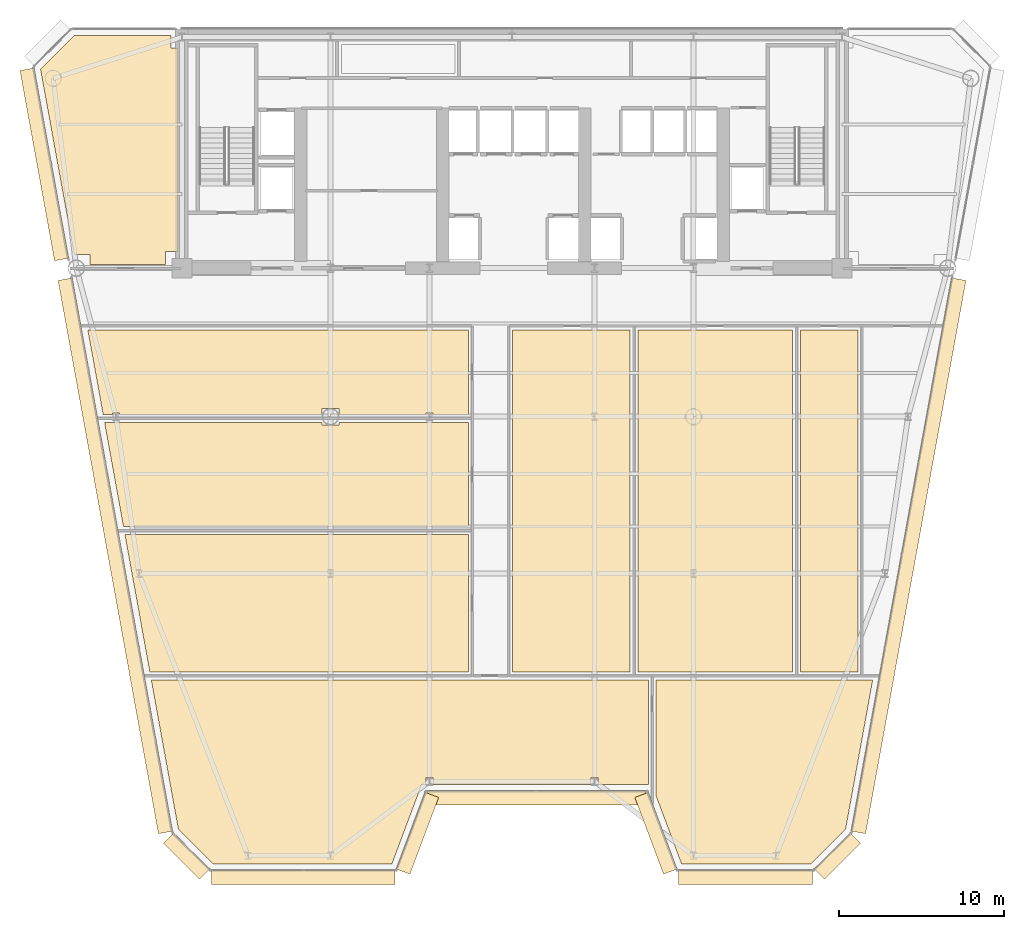
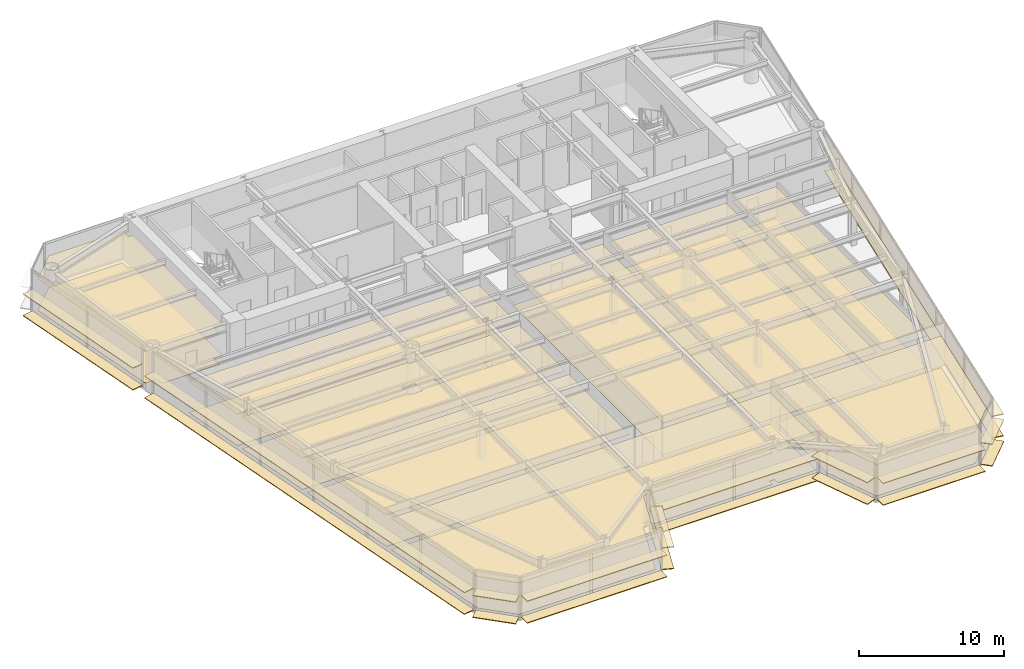
# One storey, part 11 of 14: 38 coverings.
"""IFC4 building model written with IfcOpenShell, lengths in metres."""

from ifc_helpers import new_model, si_unit, direction, frame, origin, origin_2d, place, context, subcontext, project, spatial, polyline, rectangle, outline, extrude, source, transform, mapped, material, layer, layer_set, type_object, element, save


model = new_model("IFC4")

# Units and contexts
model_context = context("Model", 3, precision=1e-05, world=origin(), true_north=direction((0.0, 1.0)))
body_context = subcontext(model_context, "Body", "Model", "MODEL_VIEW")
ifc_project = project(units=[si_unit("LENGTHUNIT", "METRE"), si_unit("AREAUNIT", "SQUARE_METRE"), si_unit("VOLUMEUNIT", "CUBIC_METRE"), si_unit("PLANEANGLEUNIT", "RADIAN"), si_unit("MASSUNIT", "GRAM", prefix="KILO")], contexts=[model_context])

# Site, building, storey
site_placement = place(None, origin())
site = spatial("IfcSite", under=ifc_project, at=site_placement, CompositionType="ELEMENT")
building_placement = place(site_placement, origin())
building = spatial("IfcBuilding", under=site, at=building_placement, Name="Vaeldorn Concourse Tower", CompositionType="ELEMENT")
storey_placement = place(building_placement, frame((0.0, 0.0, 145.199951171875)))
storey = spatial("IfcBuildingStorey", under=building, at=storey_placement, Name="L37", CompositionType="ELEMENT", Elevation=145.199951171875)

# Coverings
ifc_material_1 = material(Name="Acoustic Mineral Fibre Board", Category="gypsum")
ifc_layer_1 = layer(ifc_material_1, 0.0400390625)
ifc_layer_set_1 = layer_set([ifc_layer_1], Name="Acoustic Mineral Fibre Board")
covering_type_1 = type_object("IfcCoveringType", Name="COV-CEIL-ACOUSTIC", PredefinedType="CEILING", material=ifc_layer_set_1)
covering_1_placement = place(storey_placement, frame((0.0, 0.0, 2.650146484375)))
element("IfcCovering", 1, at=covering_1_placement, inside=storey, type_object=covering_type_1, Name="Suspended Acoustic Ceiling L37-3", PredefinedType="CEILING", context=body_context, shape_type="SweptSolid", body=[
    extrude(outline(polyline([(7.4658203125, 50.60009765625), (13.340087890625, 50.60009765625), (13.340087890625, 49.840087890625), (13.760009765625, 49.840087890625), (13.760009765625, 37.5), (13.0, 37.5), (13.0, 36.719970703125), (8.419921875, 36.719970703125), (8.419921875, 37.320068359375), (7.470458984375, 37.320068359375), (5.430908203125, 48.565185546875), (7.4658203125, 50.60009765625)])), origin(), (0.0, 0.0, 1.0), 0.039794921875),
])
covering_2_placement = place(storey_placement, frame((0.0, 0.0, 2.650146484375)))
element("IfcCovering", 2, at=covering_2_placement, inside=storey, type_object=covering_type_1, Name="Suspended Acoustic Ceiling L37-5", PredefinedType="CEILING", context=body_context, shape_type="SweptSolid", body=[
    extrude(outline(polyline([(42.260009765625, 11.56005859375), (42.260009765625, 5.199951171875), (39.2119140625, 5.199951171875), (39.2119140625, 5.636962890625), (38.7880859375, 5.636962890625), (38.7880859375, 5.199951171875), (29.2119140625, 5.199951171875), (29.2119140625, 5.636962890625), (28.7880859375, 5.636962890625), (28.7880859375, 5.199951171875), (28.522705078125, 5.199951171875), (26.722900390625, 0.39990234375), (15.880615234375, 0.39990234375), (13.786376953125, 2.494384765625), (12.14208984375, 11.56005859375), (42.260009765625, 11.56005859375)])), origin(), (0.0, 0.0, 1.0), 0.039794921875),
])
covering_3_placement = place(storey_placement, frame((0.0, 0.0, 2.650146484375)))
element("IfcCovering", 3, at=covering_3_placement, inside=storey, type_object=covering_type_1, Name="Suspended Acoustic Ceiling L37-6", PredefinedType="CEILING", context=body_context, shape_type="SweptSolid", body=[
    extrude(outline(polyline([(52.119384765625, 0.39990234375), (44.277099609375, 0.39990234375), (42.739990234375, 4.499267578125), (42.739990234375, 11.56005859375), (55.85791015625, 11.56005859375), (54.213623046875, 2.494384765625), (52.119384765625, 0.39990234375)])), origin(), (0.0, 0.0, 1.0), 0.039794921875),
])
covering_4_placement = place(storey_placement, frame((0.0, 0.0, 2.650146484375)))
element("IfcCovering", 4, at=covering_4_placement, inside=storey, type_object=covering_type_1, Name="Suspended Acoustic Ceiling L37-7", PredefinedType="CEILING", context=body_context, shape_type="SweptSolid", body=[
    extrude(outline(polyline([(31.360107421875, 20.360107421875), (31.360107421875, 12.0400390625), (12.05517578125, 12.0400390625), (10.546142578125, 20.360107421875), (31.360107421875, 20.360107421875)])), origin(), (0.0, 0.0, 1.0), 0.039794921875),
])
covering_5_placement = place(storey_placement, frame((0.0, 0.0, 2.650146484375)))
element("IfcCovering", 5, at=covering_5_placement, inside=storey, type_object=covering_type_1, Name="Suspended Acoustic Ceiling L37-8", PredefinedType="CEILING", context=body_context, shape_type="SweptSolid", body=[
    extrude(outline(polyline([(22.491943359375, 27.159912109375), (22.491943359375, 26.991943359375), (23.508056640625, 26.991943359375), (23.508056640625, 27.159912109375), (31.360107421875, 27.159912109375), (31.360107421875, 20.840087890625), (10.459228515625, 20.840087890625), (9.31298828125, 27.159912109375), (22.491943359375, 27.159912109375)])), origin(), (0.0, 0.0, 1.0), 0.039794921875),
])
covering_6_placement = place(storey_placement, frame((0.0, 0.0, 2.650146484375)))
element("IfcCovering", 6, at=covering_6_placement, inside=storey, type_object=covering_type_1, Name="Suspended Acoustic Ceiling L37-9", PredefinedType="CEILING", context=body_context, shape_type="SweptSolid", body=[
    extrude(outline(polyline([(31.360107421875, 32.760009765625), (31.360107421875, 27.639892578125), (29.2119140625, 27.639892578125), (29.2119140625, 27.737060546875), (28.7880859375, 27.737060546875), (28.7880859375, 27.639892578125), (23.508056640625, 27.639892578125), (23.508056640625, 28.008056640625), (22.491943359375, 28.008056640625), (22.491943359375, 27.639892578125), (10.2119140625, 27.639892578125), (10.2119140625, 27.737060546875), (9.7880859375, 27.737060546875), (9.7880859375, 27.639892578125), (9.225830078125, 27.639892578125), (8.29736328125, 32.760009765625), (31.360107421875, 32.760009765625)])), origin(), (0.0, 0.0, 1.0), 0.039794921875),
])
covering_7_placement = place(storey_placement, frame((0.0, 0.0, 2.650146484375)))
element("IfcCovering", 7, at=covering_7_placement, inside=storey, type_object=covering_type_1, Name="Suspended Acoustic Ceiling L37-10", PredefinedType="CEILING", context=body_context, shape_type="SweptSolid", body=[
    extrude(outline(polyline([(34.0400390625, 32.760009765625), (41.159912109375, 32.760009765625), (41.159912109375, 12.0400390625), (34.0400390625, 12.0400390625), (34.0400390625, 32.760009765625)])), origin(), (0.0, 0.0, 1.0), 0.039794921875),
])
covering_8_placement = place(storey_placement, frame((0.0, 0.0, 2.650146484375)))
element("IfcCovering", 8, at=covering_8_placement, inside=storey, type_object=covering_type_1, Name="Suspended Acoustic Ceiling L37-11", PredefinedType="CEILING", context=body_context, shape_type="SweptSolid", body=[
    extrude(outline(polyline([(41.639892578125, 32.760009765625), (51.010009765625, 32.760009765625), (51.010009765625, 12.0400390625), (41.639892578125, 12.0400390625), (41.639892578125, 32.760009765625)])), origin(), (0.0, 0.0, 1.0), 0.039794921875),
])
covering_9_placement = place(storey_placement, frame((0.0, 0.0, 2.650146484375)))
element("IfcCovering", 9, at=covering_9_placement, inside=storey, type_object=covering_type_1, Name="Suspended Acoustic Ceiling L37-12", PredefinedType="CEILING", context=body_context, shape_type="SweptSolid", body=[
    extrude(outline(polyline([(51.489990234375, 32.760009765625), (54.9599609375, 32.760009765625), (54.9599609375, 12.0400390625), (51.489990234375, 12.0400390625), (51.489990234375, 32.760009765625)])), origin(), (0.0, 0.0, 1.0), 0.039794921875),
])
ifc_material_2 = material(Name="Honed Limestone Terrazzo Flooring", Category="masonry")
ifc_layer_2 = layer(ifc_material_2, 0.0400390625)
ifc_layer_set_2 = layer_set([ifc_layer_2], Name="Honed Limestone Terrazzo Flooring")
covering_type_2 = type_object("IfcCoveringType", Name="COV-FLOOR-STONE", PredefinedType="FLOORING", material=ifc_layer_set_2)
covering_10_placement = place(storey_placement, origin())
element("IfcCovering", 10, at=covering_10_placement, inside=storey, type_object=covering_type_2, Name="Floor Finish Covering L37-3", PredefinedType="FLOORING", context=body_context, shape_type="SweptSolid", body=[
    extrude(outline(polyline([(7.4658203125, 50.60009765625), (13.340087890625, 50.60009765625), (13.340087890625, 49.840087890625), (13.760009765625, 49.840087890625), (13.760009765625, 37.5), (13.0, 37.5), (13.0, 36.719970703125), (8.419921875, 36.719970703125), (8.419921875, 37.320068359375), (7.470458984375, 37.320068359375), (5.430908203125, 48.565185546875), (7.4658203125, 50.60009765625)])), origin(), (0.0, 0.0, 1.0), 0.030029296875),
])
covering_11_placement = place(storey_placement, origin())
element("IfcCovering", 11, at=covering_11_placement, inside=storey, type_object=covering_type_2, Name="Floor Finish Covering L37-5", PredefinedType="FLOORING", context=body_context, shape_type="SweptSolid", body=[
    extrude(outline(polyline([(42.260009765625, 11.56005859375), (42.260009765625, 5.199951171875), (39.2119140625, 5.199951171875), (39.2119140625, 5.636962890625), (38.7880859375, 5.636962890625), (38.7880859375, 5.199951171875), (29.2119140625, 5.199951171875), (29.2119140625, 5.636962890625), (28.7880859375, 5.636962890625), (28.7880859375, 5.199951171875), (28.522705078125, 5.199951171875), (26.722900390625, 0.39990234375), (15.880615234375, 0.39990234375), (13.786376953125, 2.494384765625), (12.14208984375, 11.56005859375), (42.260009765625, 11.56005859375)])), origin(), (0.0, 0.0, 1.0), 0.030029296875),
])
covering_12_placement = place(storey_placement, origin())
element("IfcCovering", 12, at=covering_12_placement, inside=storey, type_object=covering_type_2, Name="Floor Finish Covering L37-6", PredefinedType="FLOORING", context=body_context, shape_type="SweptSolid", body=[
    extrude(outline(polyline([(52.119384765625, 0.39990234375), (44.277099609375, 0.39990234375), (42.739990234375, 4.499267578125), (42.739990234375, 11.56005859375), (55.85791015625, 11.56005859375), (54.213623046875, 2.494384765625), (52.119384765625, 0.39990234375)])), origin(), (0.0, 0.0, 1.0), 0.030029296875),
])
covering_13_placement = place(storey_placement, origin())
element("IfcCovering", 13, at=covering_13_placement, inside=storey, type_object=covering_type_2, Name="Floor Finish Covering L37-7", PredefinedType="FLOORING", context=body_context, shape_type="SweptSolid", body=[
    extrude(outline(polyline([(31.360107421875, 20.360107421875), (31.360107421875, 12.0400390625), (12.05517578125, 12.0400390625), (10.546142578125, 20.360107421875), (31.360107421875, 20.360107421875)])), origin(), (0.0, 0.0, 1.0), 0.030029296875),
])
covering_14_placement = place(storey_placement, origin())
element("IfcCovering", 14, at=covering_14_placement, inside=storey, type_object=covering_type_2, Name="Floor Finish Covering L37-8", PredefinedType="FLOORING", context=body_context, shape_type="SweptSolid", body=[
    extrude(outline(polyline([(22.491943359375, 27.159912109375), (22.491943359375, 26.991943359375), (23.508056640625, 26.991943359375), (23.508056640625, 27.159912109375), (31.360107421875, 27.159912109375), (31.360107421875, 20.840087890625), (10.459228515625, 20.840087890625), (9.31298828125, 27.159912109375), (22.491943359375, 27.159912109375)])), origin(), (0.0, 0.0, 1.0), 0.030029296875),
])
covering_15_placement = place(storey_placement, origin())
element("IfcCovering", 15, at=covering_15_placement, inside=storey, type_object=covering_type_2, Name="Floor Finish Covering L37-9", PredefinedType="FLOORING", context=body_context, shape_type="SweptSolid", body=[
    extrude(outline(polyline([(31.360107421875, 32.760009765625), (31.360107421875, 27.639892578125), (29.2119140625, 27.639892578125), (29.2119140625, 27.737060546875), (28.7880859375, 27.737060546875), (28.7880859375, 27.639892578125), (23.508056640625, 27.639892578125), (23.508056640625, 28.008056640625), (22.491943359375, 28.008056640625), (22.491943359375, 27.639892578125), (10.2119140625, 27.639892578125), (10.2119140625, 27.737060546875), (9.7880859375, 27.737060546875), (9.7880859375, 27.639892578125), (9.225830078125, 27.639892578125), (8.29736328125, 32.760009765625), (31.360107421875, 32.760009765625)])), origin(), (0.0, 0.0, 1.0), 0.030029296875),
])
covering_16_placement = place(storey_placement, origin())
element("IfcCovering", 16, at=covering_16_placement, inside=storey, type_object=covering_type_2, Name="Floor Finish Covering L37-10", PredefinedType="FLOORING", context=body_context, shape_type="SweptSolid", body=[
    extrude(outline(polyline([(34.0400390625, 32.760009765625), (41.159912109375, 32.760009765625), (41.159912109375, 12.0400390625), (34.0400390625, 12.0400390625), (34.0400390625, 32.760009765625)])), origin(), (0.0, 0.0, 1.0), 0.030029296875),
])
covering_17_placement = place(storey_placement, origin())
element("IfcCovering", 17, at=covering_17_placement, inside=storey, type_object=covering_type_2, Name="Floor Finish Covering L37-11", PredefinedType="FLOORING", context=body_context, shape_type="SweptSolid", body=[
    extrude(outline(polyline([(41.639892578125, 32.760009765625), (51.010009765625, 32.760009765625), (51.010009765625, 12.0400390625), (41.639892578125, 12.0400390625), (41.639892578125, 32.760009765625)])), origin(), (0.0, 0.0, 1.0), 0.030029296875),
])
covering_18_placement = place(storey_placement, origin())
element("IfcCovering", 18, at=covering_18_placement, inside=storey, type_object=covering_type_2, Name="Floor Finish Covering L37-12", PredefinedType="FLOORING", context=body_context, shape_type="SweptSolid", body=[
    extrude(outline(polyline([(51.489990234375, 32.760009765625), (54.9599609375, 32.760009765625), (54.9599609375, 12.0400390625), (51.489990234375, 12.0400390625), (51.489990234375, 32.760009765625)])), origin(), (0.0, 0.0, 1.0), 0.030029296875),
])
ifc_material_3 = material(Name="Anodised Bronze Aluminium", Category="aluminium")
ifc_layer_3 = layer(ifc_material_3, 0.06494140625)
ifc_layer_set_3 = layer_set([ifc_layer_3], Name="Anodised Bronze Aluminium")
covering_type_3 = type_object("IfcCoveringType", Name="SD-BRONZE-SUNSHADE", PredefinedType="USERDEFINED", material=ifc_layer_set_3)
shared_shape_1 = source(origin(), body_context, "Body", "SweptSolid", [
    extrude(rectangle(XDim=11.125, YDim=0.8798828125, at=origin_2d()), origin(), (0.0, 0.0, 1.0), 0.06494140625),
])
for number, where, z_axis, x_axis, name in (
    (19, (21.357421875, -0.39990234375, 0.047607421875), (0.0, 0.0, 1.0), (1.0, 0.0, 0.0), "Horizontal Bronze Sunshade L37-E01.1.1"),
    (20, (21.357421875, -0.39990234375, 1.86767578125), (0.0, 0.0, 1.0), (1.0, 0.0, 0.0), "Horizontal Bronze Sunshade L37-E01.1.2"),
):
    element("IfcCovering", number, at=place(storey_placement, frame(where, z_axis=z_axis, x_axis=x_axis)), inside=storey, type_object=covering_type_3, Name=name, ObjectType="SUNSHADE", PredefinedType="USERDEFINED", context=body_context, shape_type="MappedRepresentation", body=[
        mapped(shared_shape_1, transform((0.0, 0.0, 0.0), scale=1.0)),
    ])
shared_shape_2 = source(origin(), body_context, "Body", "SweptSolid", [
    extrude(rectangle(XDim=4.96630859375, YDim=0.8798828125, at=origin_2d()), origin(), (0.0, 0.0, 1.0), 0.06494140625),
])
for number, where, z_axis, x_axis, name in (
    (21, (28.2744140625, 2.259521484375, 0.047607421875), (0.0, 0.0, 1.0), (0.351122702609, 0.936329454686, 0.0), "Horizontal Bronze Sunshade L37-E02.1.1"),
    (22, (28.2744140625, 2.259521484375, 1.86767578125), (0.0, 0.0, 1.0), (0.351122702609, 0.936329454686, 0.0), "Horizontal Bronze Sunshade L37-E02.1.2"),
    (23, (42.7255859375, 2.259521484375, 0.047607421875), (0.0, 0.0, 1.0), (0.351122702609, -0.936329454686, 0.0), "Horizontal Bronze Sunshade L37-E04.1.1"),
    (24, (42.7255859375, 2.259521484375, 1.86767578125), (0.0, 0.0, 1.0), (0.351122702609, -0.936329454686, 0.0), "Horizontal Bronze Sunshade L37-E04.1.2"),
):
    element("IfcCovering", number, at=place(storey_placement, frame(where, z_axis=z_axis, x_axis=x_axis)), inside=storey, type_object=covering_type_3, Name=name, ObjectType="SUNSHADE", PredefinedType="USERDEFINED", context=body_context, shape_type="MappedRepresentation", body=[
        mapped(shared_shape_2, transform((0.0, 0.0, 0.0), scale=1.0)),
    ])
shared_shape_3 = source(origin(), body_context, "Body", "SweptSolid", [
    extrude(rectangle(XDim=13.239990234375, YDim=0.8798828125, at=origin_2d()), origin(), (0.0, 0.0, 1.0), 0.06494140625),
])
for number, where, z_axis, x_axis, name in (
    (25, (35.5, 4.39990234375, 0.047607421875), (0.0, 0.0, 1.0), (1.0, 0.0, 0.0), "Horizontal Bronze Sunshade L37-E03.1.1"),
    (26, (35.5, 4.39990234375, 1.86767578125), (0.0, 0.0, 1.0), (1.0, 0.0, 0.0), "Horizontal Bronze Sunshade L37-E03.1.2"),
):
    element("IfcCovering", number, at=place(storey_placement, frame(where, z_axis=z_axis, x_axis=x_axis)), inside=storey, type_object=covering_type_3, Name=name, ObjectType="SUNSHADE", PredefinedType="USERDEFINED", context=body_context, shape_type="MappedRepresentation", body=[
        mapped(shared_shape_3, transform((0.0, 0.0, 0.0), scale=1.0)),
    ])
shared_shape_4 = source(origin(), body_context, "Body", "SweptSolid", [
    extrude(rectangle(XDim=8.125, YDim=0.8798828125, at=origin_2d()), origin(), (0.0, 0.0, 1.0), 0.06494140625),
])
for number, where, z_axis, x_axis, name in (
    (27, (48.142578125, -0.39990234375, 0.047607421875), (0.0, 0.0, 1.0), (1.0, 0.0, 0.0), "Horizontal Bronze Sunshade L37-E05.1.1"),
    (28, (48.142578125, -0.39990234375, 1.86767578125), (0.0, 0.0, 1.0), (1.0, 0.0, 0.0), "Horizontal Bronze Sunshade L37-E05.1.2"),
):
    element("IfcCovering", number, at=place(storey_placement, frame(where, z_axis=z_axis, x_axis=x_axis)), inside=storey, type_object=covering_type_3, Name=name, ObjectType="SUNSHADE", PredefinedType="USERDEFINED", context=body_context, shape_type="MappedRepresentation", body=[
        mapped(shared_shape_4, transform((0.0, 0.0, 0.0), scale=1.0)),
    ])
shared_shape_5 = source(origin(), body_context, "Body", "SweptSolid", [
    extrude(rectangle(XDim=3.0927734375, YDim=0.8798828125, at=origin_2d()), origin(), (0.0, 0.0, 1.0), 0.06494140625),
])
for number, where, z_axis, x_axis, name in (
    (29, (53.7177734375, 0.8671875, 0.047607421875), (0.0, 0.0, 1.0), (0.707106781187, 0.707106781187, 0.0), "Horizontal Bronze Sunshade L37-E06.1.1"),
    (30, (53.7177734375, 0.8671875, 1.86767578125), (0.0, 0.0, 1.0), (0.707106781187, 0.707106781187, 0.0), "Horizontal Bronze Sunshade L37-E06.1.2"),
    (31, (14.2822265625, 0.8671875, 0.047607421875), (0.0, 0.0, 1.0), (0.707106781187, -0.707106781187, 0.0), "Horizontal Bronze Sunshade L37-E12.1.1"),
    (32, (14.2822265625, 0.8671875, 1.86767578125), (0.0, 0.0, 1.0), (0.707106781187, -0.707106781187, 0.0), "Horizontal Bronze Sunshade L37-E12.1.2"),
):
    element("IfcCovering", number, at=place(storey_placement, frame(where, z_axis=z_axis, x_axis=x_axis)), inside=storey, type_object=covering_type_3, Name=name, ObjectType="SUNSHADE", PredefinedType="USERDEFINED", context=body_context, shape_type="MappedRepresentation", body=[
        mapped(shared_shape_5, transform((0.0, 0.0, 0.0), scale=1.0)),
    ])
shared_shape_6 = source(origin(), body_context, "Body", "SweptSolid", [
    extrude(rectangle(XDim=11.712646484375, YDim=0.8798828125, at=origin_2d()), origin(), (0.0, 0.0, 1.0), 0.06494140625),
])
for number, where, z_axis, x_axis, name in (
    (33, (5.665771484375, 42.78759765625, 0.047607421875), (0.0, 0.0, 1.0), (0.178441590414, -0.983950506281, 0.0), "Horizontal Bronze Sunshade L37-E11.1.1"),
    (34, (5.665771484375, 42.78759765625, 1.86767578125), (0.0, 0.0, 1.0), (0.178441590414, -0.983950506281, 0.0), "Horizontal Bronze Sunshade L37-E11.1.2"),
):
    element("IfcCovering", number, at=place(storey_placement, frame(where, z_axis=z_axis, x_axis=x_axis)), inside=storey, type_object=covering_type_3, Name=name, ObjectType="SUNSHADE", PredefinedType="USERDEFINED", context=body_context, shape_type="MappedRepresentation", body=[
        mapped(shared_shape_6, transform((0.0, 0.0, 0.0), scale=1.0)),
    ])
shared_shape_7 = source(origin(), body_context, "Body", "SweptSolid", [
    extrude(rectangle(XDim=34.0712890625, YDim=0.8798828125, at=origin_2d()), origin(), (0.0, 0.0, 1.0), 0.06494140625),
])
for number, where, z_axis, x_axis, name in (
    (35, (58.03271484375, 19.069580078125, 0.047607421875), (0.0, 0.0, 1.0), (0.178441590414, 0.983950506281, 0.0), "Horizontal Bronze Sunshade L37-E07.1.1"),
    (36, (58.03271484375, 19.069580078125, 1.86767578125), (0.0, 0.0, 1.0), (0.178441590414, 0.983950506281, 0.0), "Horizontal Bronze Sunshade L37-E07.1.2"),
    (37, (9.96728515625, 19.069580078125, 0.047607421875), (0.0, 0.0, 1.0), (0.178441590414, -0.983950506281, 0.0), "Horizontal Bronze Sunshade L37-E11.2.1"),
    (38, (9.96728515625, 19.069580078125, 1.86767578125), (0.0, 0.0, 1.0), (0.178441590414, -0.983950506281, 0.0), "Horizontal Bronze Sunshade L37-E11.2.2"),
):
    element("IfcCovering", number, at=place(storey_placement, frame(where, z_axis=z_axis, x_axis=x_axis)), inside=storey, type_object=covering_type_3, Name=name, ObjectType="SUNSHADE", PredefinedType="USERDEFINED", context=body_context, shape_type="MappedRepresentation", body=[
        mapped(shared_shape_7, transform((0.0, 0.0, 0.0), scale=1.0)),
    ])

save(model, "model.ifc")
